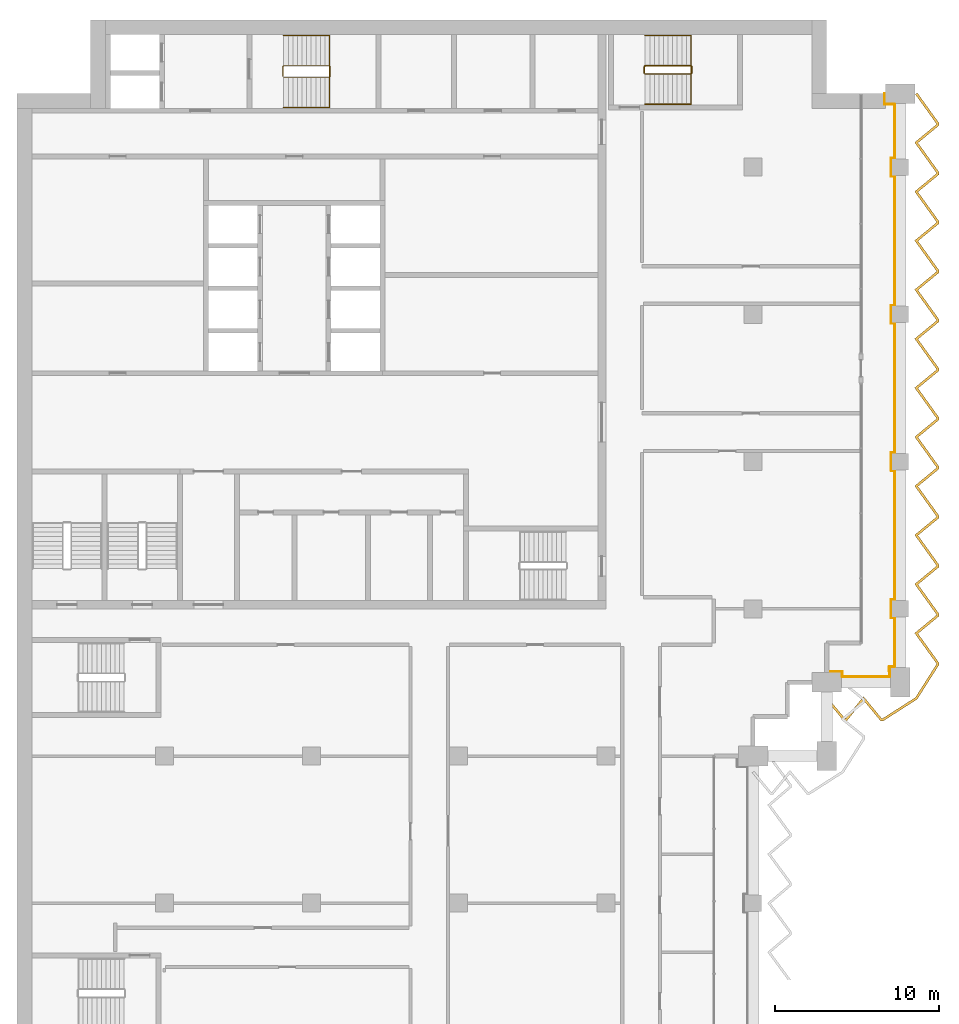
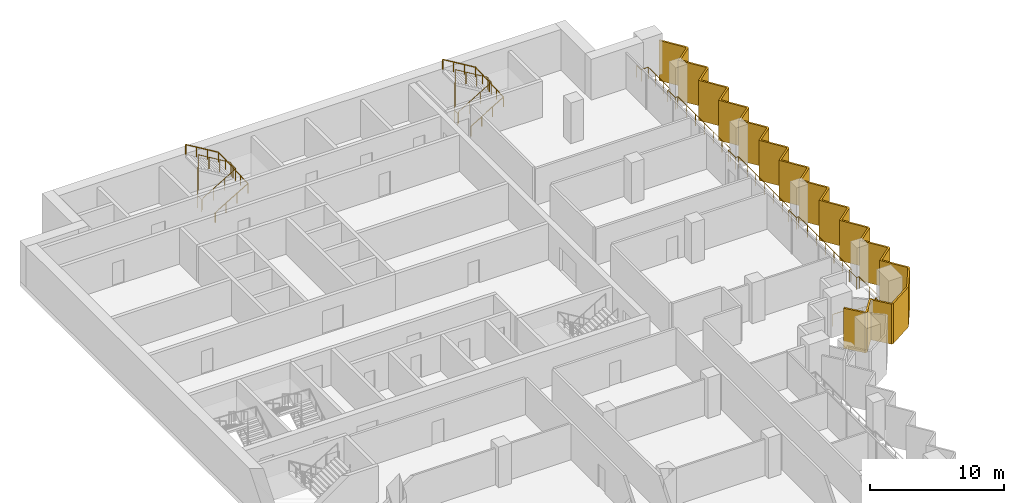
# One storey, part 17 of 17: 5 railings, 1 shading device.
"""IFC4 building model written with IfcOpenShell, lengths in metres."""

from ifc_helpers import new_model, si_unit, direction, frame, origin, origin_2d, place, context, subcontext, project, spatial, polyline, circle, outline, extrude, material, layer, layer_set, type_object, element, save


model = new_model("IFC4")

# Units and contexts
model_context = context("Model", 3, precision=1e-05, world=origin(), true_north=direction((0.0, 1.0)))
body_context = subcontext(model_context, "Body", "Model", "MODEL_VIEW")
ifc_project = project(units=[si_unit("LENGTHUNIT", "METRE"), si_unit("AREAUNIT", "SQUARE_METRE"), si_unit("VOLUMEUNIT", "CUBIC_METRE"), si_unit("PLANEANGLEUNIT", "RADIAN"), si_unit("MASSUNIT", "GRAM", prefix="KILO")], contexts=[model_context])

# Site, building, storey
site_placement = place(None, origin())
site = spatial("IfcSite", under=ifc_project, at=site_placement, CompositionType="ELEMENT")
building_placement = place(site_placement, origin())
building = spatial("IfcBuilding", under=site, at=building_placement, Name="Hunhe Ridgeline Campus", CompositionType="ELEMENT")
storey_placement = place(building_placement, frame((0.0, 0.0, 201.300048828125)))
storey = spatial("IfcBuildingStorey", under=building, at=storey_placement, Name="L51", CompositionType="ELEMENT", Elevation=201.300048828125)

# Railing
ifc_material_1 = material(Name="Steel Q355", Category="steel")
railing_type_1 = type_object("IfcRailingType", Name="Loggia guard 1100 Steel Q355", PredefinedType="GUARDRAIL", material=ifc_material_1)
railing_1_placement = place(storey_placement, frame((49.5, 59.169921875, 0.0)))
element("IfcRailing", 1, at=railing_1_placement, inside=storey, type_object=railing_type_1, Name="Loggia guard 2", PredefinedType="GUARDRAIL", context=body_context, shape_type="SweptSolid", body=[
    extrude(circle(Radius=0.02392578125, at=origin_2d()), frame((0.0, 0.0, 1.076171875), z_axis=(1.0, 0.0, 0.0), x_axis=(0.0, 1.0, 0.0)), (0.0, 0.0, 1.0), 0.949951171875),
    extrude(circle(Radius=0.02392578125, at=origin_2d()), frame((0.949951171875, 0.0, 1.076171875), z_axis=(0.0, -1.0, 0.0), x_axis=(1.0, 0.0, 0.0)), (0.0, 0.0, 1.0), 0.31982421875),
    extrude(circle(Radius=0.02392578125, at=origin_2d()), frame((0.949951171875, -0.31982421875, 1.076171875), z_axis=(1.0, 0.0, 0.0), x_axis=(0.0, 1.0, 0.0)), (0.0, 0.0, 1.0), 2.900146484375),
    extrude(circle(Radius=0.02392578125, at=origin_2d()), frame((3.85009765625, -0.31982421875, 1.076171875), z_axis=(0.0, 1.0, 0.0), x_axis=(-1.0, 0.0, 0.0)), (0.0, 0.0, 1.0), 0.619873046875),
    extrude(circle(Radius=0.02392578125, at=origin_2d()), frame((3.85009765625, 0.300048828125, 1.076171875), z_axis=(-0.066572895244, -0.99778156408, 0.0), x_axis=(0.99778156408, -0.066572895244, 0.0)), (0.0, 0.0, 1.0), 0.30078125),
    extrude(circle(Radius=0.02392578125, at=origin_2d()), frame((3.830078125, 0.0, 1.076171875), z_axis=(0.0, 1.0, 0.0), x_axis=(-1.0, 0.0, 0.0)), (0.0, 0.0, 1.0), 0.280029296875),
    extrude(circle(Radius=0.02392578125, at=origin_2d()), frame((3.830078125, 0.280029296875, 1.076171875), z_axis=(1.0, 0.0, 0.0), x_axis=(0.0, 1.0, 0.0)), (0.0, 0.0, 1.0), 0.31982421875),
    extrude(circle(Radius=0.02392578125, at=origin_2d()), frame((4.14990234375, 0.280029296875, 1.076171875), z_axis=(0.0, 1.0, 0.0), x_axis=(-1.0, 0.0, 0.0)), (0.0, 0.0, 1.0), 3.0),
    extrude(circle(Radius=0.02392578125, at=origin_2d()), frame((4.14990234375, 3.280029296875, 1.076171875), z_axis=(-1.0, 0.0, 0.0), x_axis=(0.0, -1.0, 0.0)), (0.0, 0.0, 1.0), 0.219970703125),
    extrude(circle(Radius=0.02392578125, at=origin_2d()), frame((3.929931640625, 3.280029296875, 1.076171875), z_axis=(0.0, 1.0, 0.0), x_axis=(-1.0, 0.0, 0.0)), (0.0, 0.0, 1.0), 1.10009765625),
    extrude(circle(Radius=0.02392578125, at=origin_2d()), frame((3.929931640625, 4.380126953125, 1.076171875), z_axis=(1.0, 0.0, 0.0), x_axis=(0.0, 1.0, 0.0)), (0.0, 0.0, 1.0), 0.219970703125),
    extrude(circle(Radius=0.02392578125, at=origin_2d()), frame((4.14990234375, 4.380126953125, 1.076171875), z_axis=(0.0, 1.0, 0.0), x_axis=(-1.0, 0.0, 0.0)), (0.0, 0.0, 1.0), 7.89990234375),
    extrude(circle(Radius=0.02392578125, at=origin_2d()), frame((4.14990234375, 12.280029296875, 1.076171875), z_axis=(-1.0, 0.0, 0.0), x_axis=(0.0, -1.0, 0.0)), (0.0, 0.0, 1.0), 0.219970703125),
    extrude(circle(Radius=0.02392578125, at=origin_2d()), frame((3.929931640625, 12.280029296875, 1.076171875), z_axis=(0.0, 1.0, 0.0), x_axis=(-1.0, 0.0, 0.0)), (0.0, 0.0, 1.0), 1.10009765625),
    extrude(circle(Radius=0.02392578125, at=origin_2d()), frame((3.929931640625, 13.380126953125, 1.076171875), z_axis=(1.0, 0.0, 0.0), x_axis=(0.0, 1.0, 0.0)), (0.0, 0.0, 1.0), 0.219970703125),
    extrude(circle(Radius=0.02392578125, at=origin_2d()), frame((4.14990234375, 13.380126953125, 1.076171875), z_axis=(0.0, 1.0, 0.0), x_axis=(-1.0, 0.0, 0.0)), (0.0, 0.0, 1.0), 7.89990234375),
    extrude(circle(Radius=0.02392578125, at=origin_2d()), frame((4.14990234375, 21.280029296875, 1.076171875), z_axis=(-1.0, 0.0, 0.0), x_axis=(0.0, -1.0, 0.0)), (0.0, 0.0, 1.0), 0.219970703125),
    extrude(circle(Radius=0.02392578125, at=origin_2d()), frame((3.929931640625, 21.280029296875, 1.076171875), z_axis=(0.0, 1.0, 0.0), x_axis=(-1.0, 0.0, 0.0)), (0.0, 0.0, 1.0), 1.10009765625),
    extrude(circle(Radius=0.02392578125, at=origin_2d()), frame((3.929931640625, 22.380126953125, 1.076171875), z_axis=(1.0, 0.0, 0.0), x_axis=(0.0, 1.0, 0.0)), (0.0, 0.0, 1.0), 0.219970703125),
    extrude(circle(Radius=0.02392578125, at=origin_2d()), frame((4.14990234375, 22.380126953125, 1.076171875), z_axis=(0.0, 1.0, 0.0), x_axis=(-1.0, 0.0, 0.0)), (0.0, 0.0, 1.0), 7.89990234375),
    extrude(circle(Radius=0.02392578125, at=origin_2d()), frame((4.14990234375, 30.280029296875, 1.076171875), z_axis=(-1.0, 0.0, 0.0), x_axis=(0.0, -1.0, 0.0)), (0.0, 0.0, 1.0), 0.219970703125),
    extrude(circle(Radius=0.02392578125, at=origin_2d()), frame((3.929931640625, 30.280029296875, 1.076171875), z_axis=(0.0, 1.0, 0.0), x_axis=(-1.0, 0.0, 0.0)), (0.0, 0.0, 1.0), 1.10009765625),
    extrude(circle(Radius=0.02392578125, at=origin_2d()), frame((3.929931640625, 31.380126953125, 1.076171875), z_axis=(1.0, 0.0, 0.0), x_axis=(0.0, 1.0, 0.0)), (0.0, 0.0, 1.0), 0.219970703125),
    extrude(circle(Radius=0.02392578125, at=origin_2d()), frame((4.14990234375, 31.380126953125, 1.076171875), z_axis=(0.0, 1.0, 0.0), x_axis=(-1.0, 0.0, 0.0)), (0.0, 0.0, 1.0), 3.300048828125),
    extrude(circle(Radius=0.02392578125, at=origin_2d()), frame((4.14990234375, 34.68017578125, 1.076171875), z_axis=(-1.0, 0.0, 0.0), x_axis=(0.0, -1.0, 0.0)), (0.0, 0.0, 1.0), 0.619873046875),
    extrude(circle(Radius=0.02392578125, at=origin_2d()), frame((3.530029296875, 34.68017578125, 1.076171875), z_axis=(0.0, 1.0, 0.0), x_axis=(-1.0, 0.0, 0.0)), (0.0, 0.0, 1.0), 0.64990234375),
    extrude(circle(Radius=0.02099609375, at=origin_2d()), origin(), (0.0, 0.0, 1.0), 1.052001953125),
    extrude(circle(Radius=0.02099609375, at=origin_2d()), frame((0.949951171875, 0.0, 0.0)), (0.0, 0.0, 1.0), 1.052001953125),
    extrude(circle(Radius=0.02099609375, at=origin_2d()), frame((0.949951171875, -0.31982421875, 0.0)), (0.0, 0.0, 1.0), 1.052001953125),
    extrude(circle(Radius=0.02099609375, at=origin_2d()), frame((2.39990234375, -0.31982421875, 0.0)), (0.0, 0.0, 1.0), 1.052001953125),
    extrude(circle(Radius=0.02099609375, at=origin_2d()), frame((3.85009765625, -0.31982421875, 0.0)), (0.0, 0.0, 1.0), 1.052001953125),
    extrude(circle(Radius=0.02099609375, at=origin_2d()), frame((3.85009765625, 0.300048828125, 0.0)), (0.0, 0.0, 1.0), 1.052001953125),
    extrude(circle(Radius=0.02099609375, at=origin_2d()), frame((3.830078125, 0.0, 0.0)), (0.0, 0.0, 1.0), 1.052001953125),
    extrude(circle(Radius=0.02099609375, at=origin_2d()), frame((3.830078125, 0.280029296875, 0.0)), (0.0, 0.0, 1.0), 1.052001953125),
    extrude(circle(Radius=0.02099609375, at=origin_2d()), frame((4.14990234375, 0.280029296875, 0.0)), (0.0, 0.0, 1.0), 1.052001953125),
    extrude(circle(Radius=0.02099609375, at=origin_2d()), frame((4.14990234375, 1.780029296875, 0.0)), (0.0, 0.0, 1.0), 1.052001953125),
    extrude(circle(Radius=0.02099609375, at=origin_2d()), frame((4.14990234375, 3.280029296875, 0.0)), (0.0, 0.0, 1.0), 1.052001953125),
    extrude(circle(Radius=0.02099609375, at=origin_2d()), frame((3.929931640625, 3.280029296875, 0.0)), (0.0, 0.0, 1.0), 1.052001953125),
    extrude(circle(Radius=0.02099609375, at=origin_2d()), frame((3.929931640625, 4.380126953125, 0.0)), (0.0, 0.0, 1.0), 1.052001953125),
    extrude(circle(Radius=0.02099609375, at=origin_2d()), frame((4.14990234375, 4.380126953125, 0.0)), (0.0, 0.0, 1.0), 1.052001953125),
    extrude(circle(Radius=0.02099609375, at=origin_2d()), frame((4.14990234375, 5.69677734375, 0.0)), (0.0, 0.0, 1.0), 1.052001953125),
    extrude(circle(Radius=0.02099609375, at=origin_2d()), frame((4.14990234375, 7.013427734375, 0.0)), (0.0, 0.0, 1.0), 1.052001953125),
    extrude(circle(Radius=0.02099609375, at=origin_2d()), frame((4.14990234375, 8.330078125, 0.0)), (0.0, 0.0, 1.0), 1.052001953125),
    extrude(circle(Radius=0.02099609375, at=origin_2d()), frame((4.14990234375, 9.646728515625, 0.0)), (0.0, 0.0, 1.0), 1.052001953125),
    extrude(circle(Radius=0.02099609375, at=origin_2d()), frame((4.14990234375, 10.96337890625, 0.0)), (0.0, 0.0, 1.0), 1.052001953125),
    extrude(circle(Radius=0.02099609375, at=origin_2d()), frame((4.14990234375, 12.280029296875, 0.0)), (0.0, 0.0, 1.0), 1.052001953125),
    extrude(circle(Radius=0.02099609375, at=origin_2d()), frame((3.929931640625, 12.280029296875, 0.0)), (0.0, 0.0, 1.0), 1.052001953125),
    extrude(circle(Radius=0.02099609375, at=origin_2d()), frame((3.929931640625, 13.380126953125, 0.0)), (0.0, 0.0, 1.0), 1.052001953125),
    extrude(circle(Radius=0.02099609375, at=origin_2d()), frame((4.14990234375, 13.380126953125, 0.0)), (0.0, 0.0, 1.0), 1.052001953125),
    extrude(circle(Radius=0.02099609375, at=origin_2d()), frame((4.14990234375, 14.69677734375, 0.0)), (0.0, 0.0, 1.0), 1.052001953125),
    extrude(circle(Radius=0.02099609375, at=origin_2d()), frame((4.14990234375, 16.013427734375, 0.0)), (0.0, 0.0, 1.0), 1.052001953125),
    extrude(circle(Radius=0.02099609375, at=origin_2d()), frame((4.14990234375, 17.330078125, 0.0)), (0.0, 0.0, 1.0), 1.052001953125),
    extrude(circle(Radius=0.02099609375, at=origin_2d()), frame((4.14990234375, 18.646728515625, 0.0)), (0.0, 0.0, 1.0), 1.052001953125),
    extrude(circle(Radius=0.02099609375, at=origin_2d()), frame((4.14990234375, 19.96337890625, 0.0)), (0.0, 0.0, 1.0), 1.052001953125),
    extrude(circle(Radius=0.02099609375, at=origin_2d()), frame((4.14990234375, 21.280029296875, 0.0)), (0.0, 0.0, 1.0), 1.052001953125),
    extrude(circle(Radius=0.02099609375, at=origin_2d()), frame((3.929931640625, 21.280029296875, 0.0)), (0.0, 0.0, 1.0), 1.052001953125),
    extrude(circle(Radius=0.02099609375, at=origin_2d()), frame((3.929931640625, 22.380126953125, 0.0)), (0.0, 0.0, 1.0), 1.052001953125),
    extrude(circle(Radius=0.02099609375, at=origin_2d()), frame((4.14990234375, 22.380126953125, 0.0)), (0.0, 0.0, 1.0), 1.052001953125),
    extrude(circle(Radius=0.02099609375, at=origin_2d()), frame((4.14990234375, 23.69677734375, 0.0)), (0.0, 0.0, 1.0), 1.052001953125),
    extrude(circle(Radius=0.02099609375, at=origin_2d()), frame((4.14990234375, 25.013427734375, 0.0)), (0.0, 0.0, 1.0), 1.052001953125),
    extrude(circle(Radius=0.02099609375, at=origin_2d()), frame((4.14990234375, 26.330078125, 0.0)), (0.0, 0.0, 1.0), 1.052001953125),
    extrude(circle(Radius=0.02099609375, at=origin_2d()), frame((4.14990234375, 27.646728515625, 0.0)), (0.0, 0.0, 1.0), 1.052001953125),
    extrude(circle(Radius=0.02099609375, at=origin_2d()), frame((4.14990234375, 28.96337890625, 0.0)), (0.0, 0.0, 1.0), 1.052001953125),
    extrude(circle(Radius=0.02099609375, at=origin_2d()), frame((4.14990234375, 30.280029296875, 0.0)), (0.0, 0.0, 1.0), 1.052001953125),
    extrude(circle(Radius=0.02099609375, at=origin_2d()), frame((3.929931640625, 30.280029296875, 0.0)), (0.0, 0.0, 1.0), 1.052001953125),
    extrude(circle(Radius=0.02099609375, at=origin_2d()), frame((3.929931640625, 31.380126953125, 0.0)), (0.0, 0.0, 1.0), 1.052001953125),
    extrude(circle(Radius=0.02099609375, at=origin_2d()), frame((4.14990234375, 31.380126953125, 0.0)), (0.0, 0.0, 1.0), 1.052001953125),
    extrude(circle(Radius=0.02099609375, at=origin_2d()), frame((4.14990234375, 32.480224609375, 0.0)), (0.0, 0.0, 1.0), 1.052001953125),
    extrude(circle(Radius=0.02099609375, at=origin_2d()), frame((4.14990234375, 33.580078125, 0.0)), (0.0, 0.0, 1.0), 1.052001953125),
    extrude(circle(Radius=0.02099609375, at=origin_2d()), frame((4.14990234375, 34.68017578125, 0.0)), (0.0, 0.0, 1.0), 1.052001953125),
    extrude(circle(Radius=0.02099609375, at=origin_2d()), frame((3.530029296875, 34.68017578125, 0.0)), (0.0, 0.0, 1.0), 1.052001953125),
    extrude(circle(Radius=0.02099609375, at=origin_2d()), frame((3.530029296875, 35.330078125, 0.0)), (0.0, 0.0, 1.0), 1.052001953125),
])

# Shading device
ifc_material_2 = material(Name="Concrete C50", Category="concrete")
ifc_layer = layer(ifc_material_2, 0.14990234375)
ifc_layer_set = layer_set([ifc_layer], Name="Sawtooth concrete fin 150 Concrete C50")
shading_device_type = type_object("IfcShadingDeviceType", Name="Sawtooth concrete fin 150 Concrete C50", PredefinedType="USERDEFINED", material=ifc_layer_set)
shading_device_placement = place(storey_placement, frame((0.0, 0.0, -0.949951171875)))
element("IfcShadingDevice", 2, at=shading_device_placement, inside=storey, type_object=shading_device_type, Name="Concrete fin screen 3", ObjectType="FIN", PredefinedType="USERDEFINED", context=body_context, shape_type="SweptSolid", body=[
    extrude(outline(polyline([(49.557861328125, 57.57275390625), (49.442138671875, 57.477294921875), (50.537353515625, 56.14990234375), (50.728271484375, 56.14990234375), (51.75048828125, 57.40673828125), (52.787353515625, 56.14990234375), (52.964599609375, 56.14990234375), (55.029296875, 57.470703125), (56.35009765625, 59.55078125), (56.35009765625, 59.716796875), (55.076904296875, 61.48681640625), (56.35009765625, 62.537353515625), (56.35009765625, 62.716796875), (55.076904296875, 64.48681640625), (56.35009765625, 65.537353515625), (56.35009765625, 65.716796875), (55.076904296875, 67.48681640625), (56.35009765625, 68.537353515625), (56.35009765625, 68.716796875), (55.076904296875, 70.48681640625), (56.35009765625, 71.537353515625), (56.35009765625, 71.716796875), (55.076904296875, 73.48681640625), (56.35009765625, 74.537353515625), (56.35009765625, 74.716796875), (55.076904296875, 76.48681640625), (56.35009765625, 77.537353515625), (56.35009765625, 77.716796875), (55.076904296875, 79.48681640625), (56.35009765625, 80.537353515625), (56.35009765625, 80.716796875), (55.076904296875, 82.48681640625), (56.35009765625, 83.537353515625), (56.35009765625, 83.716796875), (55.076904296875, 85.48681640625), (56.35009765625, 86.537353515625), (56.35009765625, 86.716796875), (55.076904296875, 88.48681640625), (56.35009765625, 89.537353515625), (56.35009765625, 89.716796875), (55.076904296875, 91.48681640625), (56.35009765625, 92.537353515625), (56.35009765625, 92.716796875), (55.035888671875, 94.543701171875), (54.9140625, 94.456298828125), (56.199951171875, 92.66845703125), (56.199951171875, 92.60791015625), (54.873046875, 91.51318359375), (56.199951171875, 89.66845703125), (56.199951171875, 89.60791015625), (54.873046875, 88.51318359375), (56.199951171875, 86.66845703125), (56.199951171875, 86.60791015625), (54.873046875, 85.51318359375), (56.199951171875, 83.66845703125), (56.199951171875, 83.60791015625), (54.873046875, 82.51318359375), (56.199951171875, 80.66845703125), (56.199951171875, 80.60791015625), (54.873046875, 79.51318359375), (56.199951171875, 77.66845703125), (56.199951171875, 77.60791015625), (54.873046875, 76.51318359375), (56.199951171875, 74.66845703125), (56.199951171875, 74.60791015625), (54.873046875, 73.51318359375), (56.199951171875, 71.66845703125), (56.199951171875, 71.60791015625), (54.873046875, 70.51318359375), (56.199951171875, 68.66845703125), (56.199951171875, 68.60791015625), (54.873046875, 67.51318359375), (56.199951171875, 65.66845703125), (56.199951171875, 65.60791015625), (54.873046875, 64.51318359375), (56.199951171875, 62.66845703125), (56.199951171875, 62.60791015625), (54.873046875, 61.51318359375), (56.199951171875, 59.66845703125), (56.199951171875, 59.594482421875), (54.920654296875, 57.579345703125), (52.920654296875, 56.300048828125), (52.85791015625, 56.300048828125), (51.74951171875, 57.643310546875), (50.656982421875, 56.300048828125), (50.60791015625, 56.300048828125), (49.557861328125, 57.57275390625)])), origin(), (0.0, 0.0, 1.0), 3.64990234375),
])

# Railings
ifc_material_3 = material(Name="Stainless steel balustrade", Category="steel")
railing_type_2 = type_object("IfcRailingType", Name="Stair guard 1100 stainless", PredefinedType="GUARDRAIL", material=ifc_material_3)
railing_2_placement = place(storey_placement, frame((16.300048828125, 95.5, 0.168212890625)))
element("IfcRailing", 3, at=railing_2_placement, inside=storey, type_object=railing_type_2, Name="L51 stair S1 guard", PredefinedType="GUARDRAIL", context=body_context, shape_type="SweptSolid", body=[
    extrude(circle(Radius=0.02392578125, at=origin_2d()), frame((0.0, 0.0, 1.076171875), z_axis=(0.857275202839, 0.0, 0.514858452973), x_axis=(0.0, 1.0, 0.0)), (0.0, 0.0, 1.0), 3.26611328125),
    extrude(circle(Radius=0.02392578125, at=origin_2d()), frame((2.800048828125, 0.0, 2.7578125), z_axis=(0.705375805398, 0.708833529934, 0.0), x_axis=(-0.708833529934, 0.705375805398, 0.0)), (0.0, 0.0, 1.0), 0.070556640625),
    extrude(circle(Radius=0.02392578125, at=origin_2d()), frame((2.849853515625, 0.050048828125, 2.7578125), z_axis=(0.0, 1.0, 0.0), x_axis=(-1.0, 0.0, 0.0)), (0.0, 0.0, 1.0), 0.599853515625),
    extrude(circle(Radius=0.02392578125, at=origin_2d()), frame((2.849853515625, 0.64990234375, 2.7578125), z_axis=(-0.273006030465, 0.27434429532, 0.922064485248), x_axis=(-0.708833529934, -0.705375805398, 0.0)), (0.0, 0.0, 1.0), 0.182373046875),
    extrude(circle(Radius=0.02392578125, at=origin_2d()), frame((2.800048828125, 0.699951171875, 2.92578125), z_axis=(-0.857242210791, 0.0, 0.514913383045), x_axis=(0.0, -1.0, 0.0)), (0.0, 0.0, 1.0), 3.266357421875),
    extrude(circle(Radius=0.02392578125, at=origin_2d()), frame((0.0, 0.699951171875, 4.60791015625), z_axis=(-0.013524414389, -0.013524414389, -0.999817073484), x_axis=(0.707106781187, -0.707106781187, 0.0)), (0.0, 0.0, 1.0), 3.70068359375),
    extrude(circle(Radius=0.02392578125, at=origin_2d()), frame((-0.050048828125, 0.64990234375, 0.90771484375), z_axis=(0.0, -1.0, 0.0), x_axis=(1.0, 0.0, 0.0)), (0.0, 0.0, 1.0), 0.599853515625),
    extrude(circle(Radius=0.02099609375, at=origin_2d()), origin(), (0.0, 0.0, 1.0), 1.052001953125),
    extrude(circle(Radius=0.02099609375, at=origin_2d()), frame((0.933349609375, 0.0, 0.560546875)), (0.0, 0.0, 1.0), 1.052001953125),
    extrude(circle(Radius=0.02099609375, at=origin_2d()), frame((1.86669921875, 0.0, 1.12109375)), (0.0, 0.0, 1.0), 1.052001953125),
    extrude(circle(Radius=0.02099609375, at=origin_2d()), frame((2.800048828125, 0.0, 1.681640625)), (0.0, 0.0, 1.0), 1.052001953125),
    extrude(circle(Radius=0.02099609375, at=origin_2d()), frame((2.849853515625, 0.050048828125, 1.681640625)), (0.0, 0.0, 1.0), 1.052001953125),
    extrude(circle(Radius=0.02099609375, at=origin_2d()), frame((2.849853515625, 0.64990234375, 1.681640625)), (0.0, 0.0, 1.0), 1.052001953125),
    extrude(circle(Radius=0.02099609375, at=origin_2d()), frame((2.800048828125, 0.699951171875, 1.849853515625)), (0.0, 0.0, 1.0), 1.052001953125),
    extrude(circle(Radius=0.02099609375, at=origin_2d()), frame((1.86669921875, 0.699951171875, 2.410400390625)), (0.0, 0.0, 1.0), 1.052001953125),
    extrude(circle(Radius=0.02099609375, at=origin_2d()), frame((0.933349609375, 0.699951171875, 2.97119140625)), (0.0, 0.0, 1.0), 1.052001953125),
    extrude(circle(Radius=0.02099609375, at=origin_2d()), frame((0.0, 0.699951171875, 3.53173828125)), (0.0, 0.0, 1.0), 1.052001953125),
    extrude(circle(Radius=0.02099609375, at=origin_2d()), frame((-0.012451171875, 0.6875, 2.606689453125)), (0.0, 0.0, 1.0), 1.052001953125),
    extrude(circle(Radius=0.02099609375, at=origin_2d()), frame((-0.02490234375, 0.6748046875, 1.681640625)), (0.0, 0.0, 1.0), 1.052001953125),
    extrude(circle(Radius=0.02099609375, at=origin_2d()), frame((-0.03759765625, 0.662353515625, 0.7568359375)), (0.0, 0.0, 1.0), 1.052001953125),
    extrude(circle(Radius=0.02099609375, at=origin_2d()), frame((-0.050048828125, 0.64990234375, -0.168212890625)), (0.0, 0.0, 1.0), 1.052001953125),
    extrude(circle(Radius=0.02099609375, at=origin_2d()), frame((-0.050048828125, 0.050048828125, -0.168212890625)), (0.0, 0.0, 1.0), 1.052001953125),
])
railing_3_placement = place(storey_placement, frame((38.39990234375, 95.699951171875, 0.168212890625)))
element("IfcRailing", 4, at=railing_3_placement, inside=storey, type_object=railing_type_2, Name="L51 stair E1 guard", PredefinedType="GUARDRAIL", context=body_context, shape_type="SweptSolid", body=[
    extrude(circle(Radius=0.02392578125, at=origin_2d()), frame((0.0, 0.0, 1.076171875), z_axis=(0.857275202839, 0.0, 0.514858452973), x_axis=(0.0, 1.0, 0.0)), (0.0, 0.0, 1.0), 3.26611328125),
    extrude(circle(Radius=0.02392578125, at=origin_2d()), frame((2.800048828125, 0.0, 2.7578125), z_axis=(0.707106781187, 0.707106781187, 0.0), x_axis=(-0.707106781187, 0.707106781187, 0.0)), (0.0, 0.0, 1.0), 0.07080078125),
    extrude(circle(Radius=0.02392578125, at=origin_2d()), frame((2.85009765625, 0.050048828125, 2.7578125), z_axis=(0.0, 1.0, 0.0), x_axis=(-1.0, 0.0, 0.0)), (0.0, 0.0, 1.0), 0.39990234375),
    extrude(circle(Radius=0.02392578125, at=origin_2d()), frame((2.85009765625, 0.449951171875, 2.7578125), z_axis=(-0.274243871929, 0.274243871929, 0.92172696468), x_axis=(-0.707106781187, -0.707106781187, 0.0)), (0.0, 0.0, 1.0), 0.1826171875),
    extrude(circle(Radius=0.02392578125, at=origin_2d()), frame((2.800048828125, 0.5, 2.92578125), z_axis=(-0.857242210791, 0.0, 0.514913383045), x_axis=(0.0, -1.0, 0.0)), (0.0, 0.0, 1.0), 3.266357421875),
    extrude(circle(Radius=0.02392578125, at=origin_2d()), frame((0.0, 0.5, 4.60791015625), z_axis=(-0.013458453615, -0.013524426427, -0.999817963389), x_axis=(0.708833529934, -0.705375805398, 0.0)), (0.0, 0.0, 1.0), 3.70068359375),
    extrude(circle(Radius=0.02392578125, at=origin_2d()), frame((-0.0498046875, 0.449951171875, 0.90771484375), z_axis=(0.0, -1.0, 0.0), x_axis=(1.0, 0.0, 0.0)), (0.0, 0.0, 1.0), 0.39990234375),
    extrude(circle(Radius=0.02099609375, at=origin_2d()), origin(), (0.0, 0.0, 1.0), 1.052001953125),
    extrude(circle(Radius=0.02099609375, at=origin_2d()), frame((0.933349609375, 0.0, 0.560546875)), (0.0, 0.0, 1.0), 1.052001953125),
    extrude(circle(Radius=0.02099609375, at=origin_2d()), frame((1.86669921875, 0.0, 1.12109375)), (0.0, 0.0, 1.0), 1.052001953125),
    extrude(circle(Radius=0.02099609375, at=origin_2d()), frame((2.800048828125, 0.0, 1.681640625)), (0.0, 0.0, 1.0), 1.052001953125),
    extrude(circle(Radius=0.02099609375, at=origin_2d()), frame((2.85009765625, 0.050048828125, 1.681640625)), (0.0, 0.0, 1.0), 1.052001953125),
    extrude(circle(Radius=0.02099609375, at=origin_2d()), frame((2.85009765625, 0.449951171875, 1.681640625)), (0.0, 0.0, 1.0), 1.052001953125),
    extrude(circle(Radius=0.02099609375, at=origin_2d()), frame((2.800048828125, 0.5, 1.849853515625)), (0.0, 0.0, 1.0), 1.052001953125),
    extrude(circle(Radius=0.02099609375, at=origin_2d()), frame((1.86669921875, 0.5, 2.410400390625)), (0.0, 0.0, 1.0), 1.052001953125),
    extrude(circle(Radius=0.02099609375, at=origin_2d()), frame((0.933349609375, 0.5, 2.97119140625)), (0.0, 0.0, 1.0), 1.052001953125),
    extrude(circle(Radius=0.02099609375, at=origin_2d()), frame((0.0, 0.5, 3.53173828125)), (0.0, 0.0, 1.0), 1.052001953125),
    extrude(circle(Radius=0.02099609375, at=origin_2d()), frame((-0.012451171875, 0.487548828125, 2.606689453125)), (0.0, 0.0, 1.0), 1.052001953125),
    extrude(circle(Radius=0.02099609375, at=origin_2d()), frame((-0.02490234375, 0.47509765625, 1.681640625)), (0.0, 0.0, 1.0), 1.052001953125),
    extrude(circle(Radius=0.02099609375, at=origin_2d()), frame((-0.037353515625, 0.46240234375, 0.7568359375)), (0.0, 0.0, 1.0), 1.052001953125),
    extrude(circle(Radius=0.02099609375, at=origin_2d()), frame((-0.0498046875, 0.449951171875, -0.168212890625)), (0.0, 0.0, 1.0), 1.052001953125),
    extrude(circle(Radius=0.02099609375, at=origin_2d()), frame((-0.0498046875, 0.050048828125, -0.168212890625)), (0.0, 0.0, 1.0), 1.052001953125),
])
ifc_material_4 = material(Name="Stainless steel handrail", Category="steel")
railing_type_3 = type_object("IfcRailingType", Name="Stair handrail 900 stainless", PredefinedType="HANDRAIL", material=ifc_material_4)
railing_4_placement = place(storey_placement, frame((16.300048828125, 93.64990234375, 0.168212890625)))
element("IfcRailing", 5, at=railing_4_placement, inside=storey, type_object=railing_type_3, Name="L51 stair S1 handrail", PredefinedType="HANDRAIL", context=body_context, shape_type="SweptSolid", body=[
    extrude(circle(Radius=0.02392578125, at=origin_2d()), frame((0.0, 0.0, 0.8759765625), z_axis=(0.857275202839, 0.0, 0.514858452973), x_axis=(0.0, 1.0, 0.0)), (0.0, 0.0, 1.0), 3.26611328125),
    extrude(circle(Radius=0.02392578125, at=origin_2d()), frame((2.800048828125, 0.0, 2.5576171875), z_axis=(0.0, 0.999270074432, 0.038201025428), x_axis=(-1.0, 0.0, 0.0)), (0.0, 0.0, 1.0), 4.4033203125),
    extrude(circle(Radius=0.02392578125, at=origin_2d()), frame((2.800048828125, 4.400146484375, 2.7255859375), z_axis=(-0.857242210791, 0.0, 0.514913383045), x_axis=(0.0, -1.0, 0.0)), (0.0, 0.0, 1.0), 3.266357421875),
    extrude(circle(Radius=0.02099609375, at=origin_2d()), origin(), (0.0, 0.0, 1.0), 0.851806640625),
    extrude(circle(Radius=0.02099609375, at=origin_2d()), frame((0.933349609375, 0.0, 0.560546875)), (0.0, 0.0, 1.0), 0.851806640625),
    extrude(circle(Radius=0.02099609375, at=origin_2d()), frame((1.86669921875, 0.0, 1.12109375)), (0.0, 0.0, 1.0), 0.851806640625),
    extrude(circle(Radius=0.02099609375, at=origin_2d()), frame((2.800048828125, 0.0, 1.681640625)), (0.0, 0.0, 1.0), 0.851806640625),
    extrude(circle(Radius=0.02099609375, at=origin_2d()), frame((2.800048828125, 1.10009765625, 1.7236328125)), (0.0, 0.0, 1.0), 0.851806640625),
    extrude(circle(Radius=0.02099609375, at=origin_2d()), frame((2.800048828125, 2.2001953125, 1.765625)), (0.0, 0.0, 1.0), 0.851806640625),
    extrude(circle(Radius=0.02099609375, at=origin_2d()), frame((2.800048828125, 3.300048828125, 1.807861328125)), (0.0, 0.0, 1.0), 0.851806640625),
    extrude(circle(Radius=0.02099609375, at=origin_2d()), frame((2.800048828125, 4.400146484375, 1.849853515625)), (0.0, 0.0, 1.0), 0.851806640625),
    extrude(circle(Radius=0.02099609375, at=origin_2d()), frame((1.86669921875, 4.400146484375, 2.410400390625)), (0.0, 0.0, 1.0), 0.851806640625),
    extrude(circle(Radius=0.02099609375, at=origin_2d()), frame((0.933349609375, 4.400146484375, 2.97119140625)), (0.0, 0.0, 1.0), 0.851806640625),
    extrude(circle(Radius=0.02099609375, at=origin_2d()), frame((0.0, 4.400146484375, 3.53173828125)), (0.0, 0.0, 1.0), 0.851806640625),
])
railing_5_placement = place(storey_placement, frame((38.39990234375, 93.85009765625, 0.168212890625)))
element("IfcRailing", 6, at=railing_5_placement, inside=storey, type_object=railing_type_3, Name="L51 stair E1 handrail", PredefinedType="HANDRAIL", context=body_context, shape_type="SweptSolid", body=[
    extrude(circle(Radius=0.02392578125, at=origin_2d()), frame((0.0, 0.0, 0.8759765625), z_axis=(0.857275202839, 0.0, 0.514858452973), x_axis=(0.0, 1.0, 0.0)), (0.0, 0.0, 1.0), 3.26611328125),
    extrude(circle(Radius=0.02392578125, at=origin_2d()), frame((2.800048828125, 0.0, 2.5576171875), z_axis=(0.0, 0.999198916169, 0.040019069537), x_axis=(-1.0, 0.0, 0.0)), (0.0, 0.0, 1.0), 4.203369140625),
    extrude(circle(Radius=0.02392578125, at=origin_2d()), frame((2.800048828125, 4.199951171875, 2.7255859375), z_axis=(-0.857242210791, 0.0, 0.514913383045), x_axis=(0.0, -1.0, 0.0)), (0.0, 0.0, 1.0), 3.266357421875),
    extrude(circle(Radius=0.02099609375, at=origin_2d()), origin(), (0.0, 0.0, 1.0), 0.851806640625),
    extrude(circle(Radius=0.02099609375, at=origin_2d()), frame((0.933349609375, 0.0, 0.560546875)), (0.0, 0.0, 1.0), 0.851806640625),
    extrude(circle(Radius=0.02099609375, at=origin_2d()), frame((1.86669921875, 0.0, 1.12109375)), (0.0, 0.0, 1.0), 0.851806640625),
    extrude(circle(Radius=0.02099609375, at=origin_2d()), frame((2.800048828125, 0.0, 1.681640625)), (0.0, 0.0, 1.0), 0.851806640625),
    extrude(circle(Radius=0.02099609375, at=origin_2d()), frame((2.800048828125, 1.050048828125, 1.7236328125)), (0.0, 0.0, 1.0), 0.851806640625),
    extrude(circle(Radius=0.02099609375, at=origin_2d()), frame((2.800048828125, 2.10009765625, 1.765625)), (0.0, 0.0, 1.0), 0.851806640625),
    extrude(circle(Radius=0.02099609375, at=origin_2d()), frame((2.800048828125, 3.14990234375, 1.807861328125)), (0.0, 0.0, 1.0), 0.851806640625),
    extrude(circle(Radius=0.02099609375, at=origin_2d()), frame((2.800048828125, 4.199951171875, 1.849853515625)), (0.0, 0.0, 1.0), 0.851806640625),
    extrude(circle(Radius=0.02099609375, at=origin_2d()), frame((1.86669921875, 4.199951171875, 2.410400390625)), (0.0, 0.0, 1.0), 0.851806640625),
    extrude(circle(Radius=0.02099609375, at=origin_2d()), frame((0.933349609375, 4.199951171875, 2.97119140625)), (0.0, 0.0, 1.0), 0.851806640625),
    extrude(circle(Radius=0.02099609375, at=origin_2d()), frame((0.0, 4.199951171875, 3.53173828125)), (0.0, 0.0, 1.0), 0.851806640625),
])

save(model, "model.ifc")
